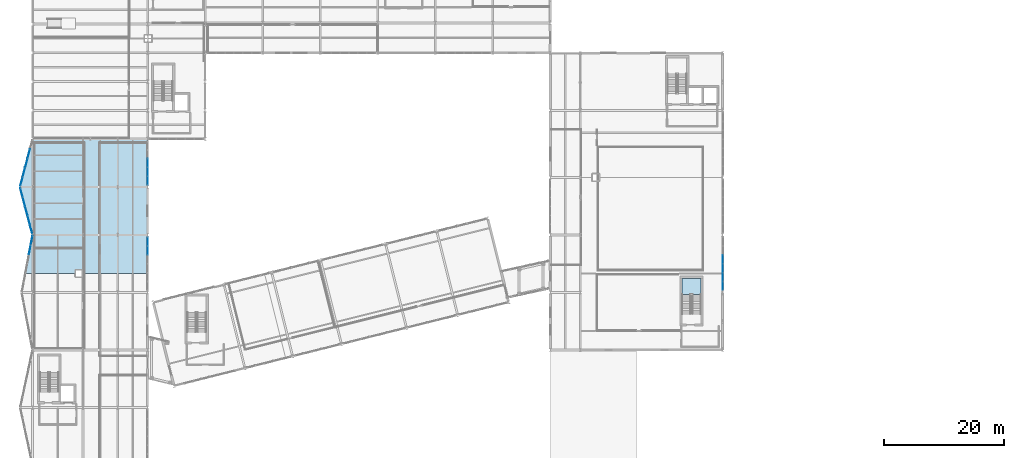
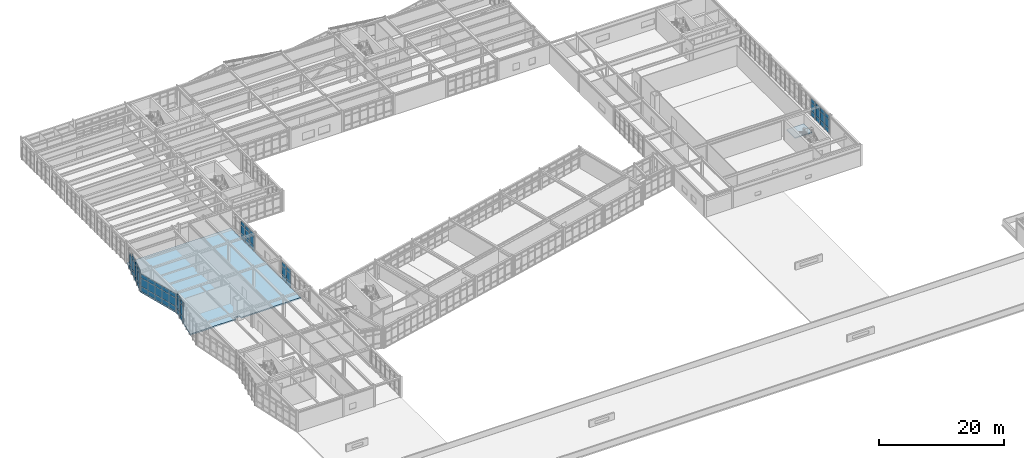
# One storey, part 54 of 88: 59 plates, 2 slabs, 7 elements without a shape of their own.
"""IFC4 building model written with IfcOpenShell, lengths in metres."""

import ifcopenshell
import ifcopenshell.guid

model = None  # the IFC model being written
_history = None  # IfcOwnerHistory: only IFC2X3 demands one
_inside = {}  # id of a spatial element -> (the spatial element, [elements in it])
_under = {}  # id of a project, library or spatial element -> (it, [spatial elements below it])
_declared = {}  # id of a project -> (the project, [libraries it declares])
_typed = {}  # id of a type object -> (the type object, [elements of that type])
_made_of = {}  # id of a material, layer set ... -> (it, [elements and type objects made of it])


def new_model(schema):
    """Start an empty IFC model of exactly this schema.

    Asked for "IFC4X3", IfcOpenShell would pick the latest addendum, in which some entities
    have other attributes; the version numbers below select the first issue.
    IFC2X3 requires an IfcOwnerHistory on every rooted entity: one is made here for all.
    """
    global model, _history
    if schema == "IFC4X3":
        model = ifcopenshell.file(schema_version=(4, 3, 0, 0))
    else:
        model = ifcopenshell.file(schema=schema)
    _inside.clear()
    _under.clear()
    _declared.clear()
    _typed.clear()
    _made_of.clear()
    _history = None
    if model.schema == "IFC2X3":
        org = make("IfcOrganization", Name="unknown")
        user = make(
            "IfcPersonAndOrganization",
            ThePerson=make("IfcPerson", FamilyName="unknown"),
            TheOrganization=org,
        )
        app = make(
            "IfcApplication",
            ApplicationDeveloper=org,
            Version="unknown",
            ApplicationFullName="unknown",
            ApplicationIdentifier="unknown",
        )
        _history = make(
            "IfcOwnerHistory",
            OwningUser=user,
            OwningApplication=app,
            ChangeAction="ADDED",
            CreationDate=0,
        )
    return model


def make(cls, **values):
    """One entity of the class cls with the attributes given. An attribute that is None is left unset."""
    return model.create_entity(
        cls, **{name: value for name, value in values.items() if value is not None}
    )


def rooted(cls, **values):
    """An entity with a GlobalId (a new one), such as an element, a storey or a relation."""
    return make(cls, GlobalId=ifcopenshell.guid.new(), OwnerHistory=_history, **values)


def si_unit(unit_type, name, prefix=None):
    """IfcSIUnit, for example si_unit("LENGTHUNIT", "METRE", prefix="MILLI")."""
    return make("IfcSIUnit", UnitType=unit_type, Prefix=prefix, Name=name)


def assignment(units):
    """IfcUnitAssignment: the units of a project."""
    return None if units is None else make("IfcUnitAssignment", Units=units)


def point(xyz):
    """IfcCartesianPoint."""
    return None if xyz is None else make("IfcCartesianPoint", Coordinates=xyz)


def direction(xyz):
    """IfcDirection."""
    return None if xyz is None else make("IfcDirection", DirectionRatios=xyz)


def frame(location, z_axis=None, x_axis=None):
    """IfcAxis2Placement3D, a coordinate frame: its origin and axes. An axis left out is left unset."""
    return make(
        "IfcAxis2Placement3D",
        Location=point(location),
        Axis=direction(z_axis),
        RefDirection=direction(x_axis),
    )


def frame_2d(location, x_axis=None):
    """IfcAxis2Placement2D, a coordinate frame in the plane: its origin and x axis."""
    return make(
        "IfcAxis2Placement2D", Location=point(location), RefDirection=direction(x_axis)
    )


def origin():
    """The frame at (0, 0, 0) with its axes left unset."""
    return frame((0.0, 0.0, 0.0))


def origin_2d():
    """The frame at (0, 0) in the plane with its x axis left unset."""
    return frame_2d((0.0, 0.0))


def place(relative_to, where):
    """IfcLocalPlacement: puts the frame where relative to a parent placement (None: the world)."""
    return make(
        "IfcLocalPlacement", PlacementRelTo=relative_to, RelativePlacement=where
    )


def context(
    kind, dimensions, precision=None, world=None, true_north=None, identifier=None
):
    """IfcGeometricRepresentationContext, for example the 3D "Model" context."""
    return make(
        "IfcGeometricRepresentationContext",
        ContextIdentifier=identifier,
        ContextType=kind,
        CoordinateSpaceDimension=dimensions,
        Precision=precision,
        WorldCoordinateSystem=world,
        TrueNorth=true_north,
    )


def subcontext(parent, identifier, kind, view, scale=None):
    """IfcGeometricRepresentationSubContext, for example "Body" below "Model"."""
    return make(
        "IfcGeometricRepresentationSubContext",
        ContextIdentifier=identifier,
        ContextType=kind,
        ParentContext=parent,
        TargetScale=scale,
        TargetView=view,
    )


def project(units=None, contexts=None):
    """IfcProject with its units and contexts."""
    return rooted(
        "IfcProject",
        Name="project",
        RepresentationContexts=contexts,
        UnitsInContext=assignment(units),
    )


def spatial(cls, under=None, at=None, **own):
    """A site, building, storey or space (cls), placed at a placement, below another one or the project."""
    s = rooted(cls, ObjectPlacement=at, **own)
    if under is not None:
        _under.setdefault(under.id(), (under, []))[1].append(s)
    return s


def polyline(points):
    """IfcPolyline through the points."""
    return make("IfcPolyline", Points=[point(p) for p in points])


def profile(cls, at=None, kind="AREA", **sizes):
    """A parametric profile (cls). Its sizes go by their IFC names, for example OverallWidth=200.0."""
    return make(cls, ProfileType=kind, Position=at, **sizes)


def rectangle(**sizes):
    """IfcRectangleProfileDef."""
    return profile("IfcRectangleProfileDef", **sizes)


def outline(outer, holes=None, kind="AREA"):
    """IfcArbitraryClosedProfileDef: a profile drawn as a closed curve; with holes, ...WithVoids."""
    if holes is None:
        return make("IfcArbitraryClosedProfileDef", ProfileType=kind, OuterCurve=outer)
    return make(
        "IfcArbitraryProfileDefWithVoids",
        ProfileType=kind,
        OuterCurve=outer,
        InnerCurves=holes,
    )


def extrude(swept, where, along, depth):
    """IfcExtrudedAreaSolid: the profile swept, set in the frame where, extruded along a direction by depth."""
    return make(
        "IfcExtrudedAreaSolid",
        SweptArea=swept,
        Position=where,
        ExtrudedDirection=direction(along),
        Depth=depth,
    )


def shape(context_of_items, identifier, shape_type, items):
    """IfcShapeRepresentation: the items that make up one representation, for example the "Body"."""
    return make(
        "IfcShapeRepresentation",
        ContextOfItems=context_of_items,
        RepresentationIdentifier=identifier,
        RepresentationType=shape_type,
        Items=items,
    )


def material(Name=None, Category=None):
    """IfcMaterial."""
    return make("IfcMaterial", Name=Name, Category=Category)


def layer(
    of_material, thickness, ventilated=None, Name=None, Category=None, Priority=None
):
    """IfcMaterialLayer: one layer of a wall or slab, of a material (None: an air gap)."""
    return make(
        "IfcMaterialLayer",
        Material=of_material,
        LayerThickness=thickness,
        IsVentilated=ventilated,
        Name=Name,
        Category=Category,
        Priority=Priority,
    )


def layer_set(layers, Name=None):
    """IfcMaterialLayerSet."""
    return make("IfcMaterialLayerSet", MaterialLayers=layers, LayerSetName=Name)


def made_of(thing, what):
    """Note that an element or type object is made of a material, layer set ...; save() writes the relation."""
    if what is not None:
        _made_of.setdefault(what.id(), (what, []))[1].append(thing)
    return thing


def type_object(cls, material=None, **own):
    """A type object (cls), such as IfcWallType, which elements share."""
    return made_of(rooted(cls, **own), material)


def element(
    cls,
    number,
    at=None,
    inside=None,
    cuts=None,
    type_object=None,
    material=None,
    context=None,
    identifier="Body",
    shape_type=None,
    held_by="IfcProductDefinitionShape",
    body=None,
    shapes=None,
    **own,
):
    """One element of the class cls, such as IfcWall. Its Tag is "e" and its number.

    at: its placement. inside: the storey or other place that contains it. cuts: it is an
    opening in that element (IfcRelVoidsElement). A single representation is given by context,
    identifier, shape_type and body (its items); several are given by shapes. held_by: the class
    of the entity that holds the representations. save() writes the other relations.
    """
    e = rooted(cls, Tag="e%d" % number, ObjectPlacement=at, **own)
    if body is not None:
        shapes = [shape(context, identifier, shape_type, body)]
    if shapes is not None:
        e.Representation = make(held_by, Representations=shapes)
    if inside is not None:
        _inside.setdefault(inside.id(), (inside, []))[1].append(e)
    if cuts is not None:
        rooted(
            "IfcRelVoidsElement", RelatingBuildingElement=cuts, RelatedOpeningElement=e
        )
    if type_object is not None:
        _typed.setdefault(type_object.id(), (type_object, []))[1].append(e)
    return made_of(e, material)


def aggregate(whole, parts):
    """IfcRelAggregates: a whole, such as a stair, and the parts it consists of."""
    return rooted("IfcRelAggregates", RelatingObject=whole, RelatedObjects=parts)


def save(model, path):
    """Write the relations noted so far, then the file.

    IfcRelAggregates (storeys below a building ...), IfcRelContainedInSpatialStructure (elements
    in a storey), IfcRelDefinesByType, IfcRelAssociatesMaterial and IfcRelDeclares: one each for
    every whole, place, type object, material and project.
    """
    for whole, parts in _under.values():
        aggregate(whole, parts)
    for where, things in _inside.values():
        rooted(
            "IfcRelContainedInSpatialStructure",
            RelatedElements=things,
            RelatingStructure=where,
        )
    for kind, things in _typed.values():
        rooted("IfcRelDefinesByType", RelatedObjects=things, RelatingType=kind)
    for what, things in _made_of.values():
        rooted("IfcRelAssociatesMaterial", RelatedObjects=things, RelatingMaterial=what)
    for by, libraries in _declared.values():
        rooted("IfcRelDeclares", RelatingContext=by, RelatedDefinitions=libraries)
    model.write(path)


model = new_model("IFC4")

# Units and contexts
model_context = context("Model", 3, precision=1e-05, world=origin(), true_north=direction((0.0, 1.0)))
body_context = subcontext(model_context, "Body", "Model", "MODEL_VIEW")
ifc_project = project(units=[si_unit("LENGTHUNIT", "METRE"), si_unit("AREAUNIT", "SQUARE_METRE"), si_unit("VOLUMEUNIT", "CUBIC_METRE"), si_unit("PLANEANGLEUNIT", "RADIAN"), si_unit("MASSUNIT", "GRAM", prefix="KILO")], contexts=[model_context])

# Site, building, storey
site_placement = place(None, origin())
site = spatial("IfcSite", under=ifc_project, at=site_placement, CompositionType="ELEMENT")
building_placement = place(site_placement, origin())
building = spatial("IfcBuilding", under=site, at=building_placement, Name="Nordkorset Police Headquarters", CompositionType="ELEMENT")
storey_placement = place(building_placement, frame((0.0, 0.0, 9.449951171875)))
storey = spatial("IfcBuildingStorey", under=building, at=storey_placement, Name="L02", CompositionType="ELEMENT", Elevation=9.449951171875)

# Curtain wall, plates
ifc_material_1 = material(Name="Aluminium alloy AW-6060", Category="aluminium")
ifc_layer_1 = layer(ifc_material_1, 0.179931640625, Name="Aluminium alloy AW-6060")
ifc_layer_set_1 = layer_set([ifc_layer_1], Name="Aluminium alloy AW-6060")
curtain_wall_type_1 = type_object("IfcCurtainWallType", Name="CW_Unit_949x392", PredefinedType="USERDEFINED", material=ifc_layer_set_1)
curtain_wall_1_placement = place(storey_placement, origin())
curtain_wall_1 = element("IfcCurtainWall", 1, at=curtain_wall_1_placement, inside=storey, type_object=curtain_wall_type_1, Name="Unitised Curtain Wall L02 V3W-3", ObjectType="UNITISED CURTAIN WALL", PredefinedType="USERDEFINED")
ifc_material_2 = material(Name="Low-iron triple glazing", Category="glass")
ifc_layer_2 = layer(ifc_material_2, 0.035888671875, Name="Low-iron triple glazing")
ifc_layer_set_2 = layer_set([ifc_layer_2], Name="Low-iron triple glazing")
plate_type = type_object("IfcPlateType", Name="CW_Panel_TripleGlazing_36", PredefinedType="CURTAIN_PANEL", material=ifc_layer_set_2)
plate_1_placement = place(storey_placement, frame((-0.462890625, 64.731201171875, 0.06494140625), z_axis=(0.0, 0.0, 1.0), x_axis=(0.184288535048, 0.982872186935, 0.0)))
plate_1 = element("IfcPlate", 2, at=plate_1_placement, type_object=plate_type, Name="CW-49 panel 5.1", PredefinedType="CURTAIN_PANEL", context=body_context, shape_type="SweptSolid", body=[
    extrude(rectangle(XDim=1.51611328125, YDim=0.035888671875, at=origin_2d()), origin(), (0.0, 0.0, 1.0), 0.902587890625),
])
plate_2_placement = place(storey_placement, frame((-0.462890625, 64.731201171875, 1.03271484375), z_axis=(0.0, 0.0, 1.0), x_axis=(0.184288535048, 0.982872186935, 0.0)))
plate_2 = element("IfcPlate", 3, at=plate_2_placement, type_object=plate_type, Name="CW-49 panel 5.2", PredefinedType="CURTAIN_PANEL", context=body_context, shape_type="SweptSolid", body=[
    extrude(rectangle(XDim=1.51611328125, YDim=0.035888671875, at=origin_2d()), origin(), (0.0, 0.0, 1.0), 2.0048828125),
])
plate_3_placement = place(storey_placement, frame((-0.462890625, 64.731201171875, 3.1025390625), z_axis=(0.0, 0.0, 1.0), x_axis=(0.184288535048, 0.982872186935, 0.0)))
plate_3 = element("IfcPlate", 4, at=plate_3_placement, type_object=plate_type, Name="CW-49 panel 5.3", PredefinedType="CURTAIN_PANEL", context=body_context, shape_type="SweptSolid", body=[
    extrude(rectangle(XDim=1.51611328125, YDim=0.035888671875, at=origin_2d()), origin(), (0.0, 0.0, 1.0), 0.75244140625),
])
plate_4_placement = place(storey_placement, frame((-0.174560546875, 66.269287109375, 0.06494140625), z_axis=(0.0, 0.0, 1.0), x_axis=(0.184288535048, 0.982872186935, 0.0)))
plate_4 = element("IfcPlate", 5, at=plate_4_placement, type_object=plate_type, Name="CW-49 panel 6.1", PredefinedType="CURTAIN_PANEL", context=body_context, shape_type="SweptSolid", body=[
    extrude(rectangle(XDim=1.483642578125, YDim=0.035888671875, at=origin_2d()), origin(), (0.0, 0.0, 1.0), 0.902587890625),
])
plate_5_placement = place(storey_placement, frame((-0.174560546875, 66.269287109375, 1.03271484375), z_axis=(0.0, 0.0, 1.0), x_axis=(0.184288535048, 0.982872186935, 0.0)))
plate_5 = element("IfcPlate", 6, at=plate_5_placement, type_object=plate_type, Name="CW-49 panel 6.2", PredefinedType="CURTAIN_PANEL", context=body_context, shape_type="SweptSolid", body=[
    extrude(rectangle(XDim=1.483642578125, YDim=0.035888671875, at=origin_2d()), origin(), (0.0, 0.0, 1.0), 2.0048828125),
])
plate_6_placement = place(storey_placement, frame((-0.174560546875, 66.269287109375, 3.1025390625), z_axis=(0.0, 0.0, 1.0), x_axis=(0.184288535048, 0.982872186935, 0.0)))
plate_6 = element("IfcPlate", 7, at=plate_6_placement, type_object=plate_type, Name="CW-49 panel 6.3", PredefinedType="CURTAIN_PANEL", context=body_context, shape_type="SweptSolid", body=[
    extrude(rectangle(XDim=1.483642578125, YDim=0.035888671875, at=origin_2d()), origin(), (0.0, 0.0, 1.0), 0.75244140625),
])
aggregate(curtain_wall_1, [plate_1, plate_2, plate_3, plate_4, plate_5, plate_6])

ifc_material_3 = material(Name="Aluminium alloy AW-6060", Category="aluminium")
ifc_layer_3 = layer(ifc_material_3, 0.179931640625, Name="Aluminium alloy AW-6060")
ifc_layer_set_3 = layer_set([ifc_layer_3], Name="Aluminium alloy AW-6060")
curtain_wall_type_2 = type_object("IfcCurtainWallType", Name="CW_Unit_888x351", PredefinedType="USERDEFINED", material=ifc_layer_set_3)
curtain_wall_2_placement = place(storey_placement, origin())
curtain_wall_2 = element("IfcCurtainWall", 8, at=curtain_wall_2_placement, inside=storey, type_object=curtain_wall_type_2, Name="Unitised Curtain Wall L02 V3E-3", ObjectType="UNITISED CURTAIN WALL", PredefinedType="USERDEFINED")
plate_7_placement = place(storey_placement, frame((19.199951171875, 64.6201171875, 0.06494140625), z_axis=(0.0, 0.0, 1.0), x_axis=(0.0, 1.0, 0.0)))
plate_7 = element("IfcPlate", 9, at=plate_7_placement, type_object=plate_type, Name="CW-58 panel 5.1", PredefinedType="CURTAIN_PANEL", context=body_context, shape_type="SweptSolid", body=[
    extrude(rectangle(XDim=1.4150390625, YDim=0.035888671875, at=origin_2d()), origin(), (0.0, 0.0, 1.0), 0.902587890625),
])
plate_8_placement = place(storey_placement, frame((19.199951171875, 64.6201171875, 1.03271484375), z_axis=(0.0, 0.0, 1.0), x_axis=(0.0, 1.0, 0.0)))
plate_8 = element("IfcPlate", 10, at=plate_8_placement, type_object=plate_type, Name="CW-58 panel 5.2", PredefinedType="CURTAIN_PANEL", context=body_context, shape_type="SweptSolid", body=[
    extrude(rectangle(XDim=1.4150390625, YDim=0.035888671875, at=origin_2d()), origin(), (0.0, 0.0, 1.0), 1.594970703125),
])
plate_9_placement = place(storey_placement, frame((19.199951171875, 64.6201171875, 2.692626953125), z_axis=(0.0, 0.0, 1.0), x_axis=(0.0, 1.0, 0.0)))
plate_9 = element("IfcPlate", 11, at=plate_9_placement, type_object=plate_type, Name="CW-58 panel 5.3", PredefinedType="CURTAIN_PANEL", context=body_context, shape_type="SweptSolid", body=[
    extrude(rectangle(XDim=1.4150390625, YDim=0.035888671875, at=origin_2d()), origin(), (0.0, 0.0, 1.0), 0.75244140625),
])
plate_10_placement = place(storey_placement, frame((19.199951171875, 66.083740234375, 0.06494140625), z_axis=(0.0, 0.0, 1.0), x_axis=(0.0, 1.0, 0.0)))
plate_10 = element("IfcPlate", 12, at=plate_10_placement, type_object=plate_type, Name="CW-58 panel 6.1", PredefinedType="CURTAIN_PANEL", context=body_context, shape_type="SweptSolid", body=[
    extrude(rectangle(XDim=1.382568359375, YDim=0.035888671875, at=origin_2d()), origin(), (0.0, 0.0, 1.0), 0.902587890625),
])
plate_11_placement = place(storey_placement, frame((19.199951171875, 66.083740234375, 1.03271484375), z_axis=(0.0, 0.0, 1.0), x_axis=(0.0, 1.0, 0.0)))
plate_11 = element("IfcPlate", 13, at=plate_11_placement, type_object=plate_type, Name="CW-58 panel 6.2", PredefinedType="CURTAIN_PANEL", context=body_context, shape_type="SweptSolid", body=[
    extrude(rectangle(XDim=1.382568359375, YDim=0.035888671875, at=origin_2d()), origin(), (0.0, 0.0, 1.0), 1.594970703125),
])
plate_12_placement = place(storey_placement, frame((19.199951171875, 66.083740234375, 2.692626953125), z_axis=(0.0, 0.0, 1.0), x_axis=(0.0, 1.0, 0.0)))
plate_12 = element("IfcPlate", 14, at=plate_12_placement, type_object=plate_type, Name="CW-58 panel 6.3", PredefinedType="CURTAIN_PANEL", context=body_context, shape_type="SweptSolid", body=[
    extrude(rectangle(XDim=1.382568359375, YDim=0.035888671875, at=origin_2d()), origin(), (0.0, 0.0, 1.0), 0.75244140625),
])
aggregate(curtain_wall_2, [plate_7, plate_8, plate_9, plate_10, plate_11, plate_12])

ifc_material_4 = material(Name="Aluminium alloy AW-6060", Category="aluminium")
ifc_layer_4 = layer(ifc_material_4, 0.179931640625, Name="Aluminium alloy AW-6060")
ifc_layer_set_4 = layer_set([ifc_layer_4], Name="Aluminium alloy AW-6060")
curtain_wall_type_3 = type_object("IfcCurtainWallType", Name="CW_Unit_799x351", PredefinedType="USERDEFINED", material=ifc_layer_set_4)
curtain_wall_3_placement = place(storey_placement, origin())
curtain_wall_3 = element("IfcCurtainWall", 15, at=curtain_wall_3_placement, inside=storey, type_object=curtain_wall_type_3, Name="Unitised Curtain Wall L02 V3W-4", ObjectType="UNITISED CURTAIN WALL", PredefinedType="USERDEFINED")
plate_13_placement = place(storey_placement, frame((-0.24267578125, 68.1240234375, 0.06494140625), z_axis=(0.0, 0.0, 1.0), x_axis=(-0.25389698695, 0.967231265013, 0.0)))
plate_13 = element("IfcPlate", 16, at=plate_13_placement, type_object=plate_type, Name="CW-16 panel 1.1", PredefinedType="CURTAIN_PANEL", context=body_context, shape_type="SweptSolid", body=[
    extrude(rectangle(XDim=1.500732421875, YDim=0.035888671875, at=origin_2d()), origin(), (0.0, 0.0, 1.0), 0.902587890625),
])
plate_14_placement = place(storey_placement, frame((-0.24267578125, 68.1240234375, 1.03271484375), z_axis=(0.0, 0.0, 1.0), x_axis=(-0.25389698695, 0.967231265013, 0.0)))
plate_14 = element("IfcPlate", 17, at=plate_14_placement, type_object=plate_type, Name="CW-16 panel 1.2", PredefinedType="CURTAIN_PANEL", context=body_context, shape_type="SweptSolid", body=[
    extrude(rectangle(XDim=1.500732421875, YDim=0.035888671875, at=origin_2d()), origin(), (0.0, 0.0, 1.0), 1.594970703125),
])
plate_15_placement = place(storey_placement, frame((-0.24267578125, 68.1240234375, 2.692626953125), z_axis=(0.0, 0.0, 1.0), x_axis=(-0.25389698695, 0.967231265013, 0.0)))
plate_15 = element("IfcPlate", 18, at=plate_15_placement, type_object=plate_type, Name="CW-16 panel 1.3", PredefinedType="CURTAIN_PANEL", context=body_context, shape_type="SweptSolid", body=[
    extrude(rectangle(XDim=1.500732421875, YDim=0.035888671875, at=origin_2d()), origin(), (0.0, 0.0, 1.0), 0.75244140625),
])
plate_16_placement = place(storey_placement, frame((-0.644287109375, 69.654052734375, 0.06494140625), z_axis=(0.0, 0.0, 1.0), x_axis=(-0.25389698695, 0.967231265013, 0.0)))
plate_16 = element("IfcPlate", 19, at=plate_16_placement, type_object=plate_type, Name="CW-16 panel 2.1", PredefinedType="CURTAIN_PANEL", context=body_context, shape_type="SweptSolid", body=[
    extrude(rectangle(XDim=1.533203125, YDim=0.035888671875, at=origin_2d()), origin(), (0.0, 0.0, 1.0), 0.902587890625),
])
plate_17_placement = place(storey_placement, frame((-0.644287109375, 69.654052734375, 1.03271484375), z_axis=(0.0, 0.0, 1.0), x_axis=(-0.25389698695, 0.967231265013, 0.0)))
plate_17 = element("IfcPlate", 20, at=plate_17_placement, type_object=plate_type, Name="CW-16 panel 2.2", PredefinedType="CURTAIN_PANEL", context=body_context, shape_type="SweptSolid", body=[
    extrude(rectangle(XDim=1.533203125, YDim=0.035888671875, at=origin_2d()), origin(), (0.0, 0.0, 1.0), 1.594970703125),
])
plate_18_placement = place(storey_placement, frame((-0.644287109375, 69.654052734375, 2.692626953125), z_axis=(0.0, 0.0, 1.0), x_axis=(-0.25389698695, 0.967231265013, 0.0)))
plate_18 = element("IfcPlate", 21, at=plate_18_placement, type_object=plate_type, Name="CW-16 panel 2.3", PredefinedType="CURTAIN_PANEL", context=body_context, shape_type="SweptSolid", body=[
    extrude(rectangle(XDim=1.533203125, YDim=0.035888671875, at=origin_2d()), origin(), (0.0, 0.0, 1.0), 0.75244140625),
])
plate_19_placement = place(storey_placement, frame((-1.050048828125, 71.199951171875, 0.06494140625), z_axis=(0.0, 0.0, 1.0), x_axis=(-0.25389698695, 0.967231265013, 0.0)))
plate_19 = element("IfcPlate", 22, at=plate_19_placement, type_object=plate_type, Name="CW-16 panel 3.1", PredefinedType="CURTAIN_PANEL", context=body_context, shape_type="SweptSolid", body=[
    extrude(rectangle(XDim=1.533203125, YDim=0.035888671875, at=origin_2d()), origin(), (0.0, 0.0, 1.0), 0.902587890625),
])
plate_20_placement = place(storey_placement, frame((-1.050048828125, 71.199951171875, 1.03271484375), z_axis=(0.0, 0.0, 1.0), x_axis=(-0.25389698695, 0.967231265013, 0.0)))
plate_20 = element("IfcPlate", 23, at=plate_20_placement, type_object=plate_type, Name="CW-16 panel 3.2", PredefinedType="CURTAIN_PANEL", context=body_context, shape_type="SweptSolid", body=[
    extrude(rectangle(XDim=1.533203125, YDim=0.035888671875, at=origin_2d()), origin(), (0.0, 0.0, 1.0), 1.594970703125),
])
plate_21_placement = place(storey_placement, frame((-1.050048828125, 71.199951171875, 2.692626953125), z_axis=(0.0, 0.0, 1.0), x_axis=(-0.25389698695, 0.967231265013, 0.0)))
plate_21 = element("IfcPlate", 24, at=plate_21_placement, type_object=plate_type, Name="CW-16 panel 3.3", PredefinedType="CURTAIN_PANEL", context=body_context, shape_type="SweptSolid", body=[
    extrude(rectangle(XDim=1.533203125, YDim=0.035888671875, at=origin_2d()), origin(), (0.0, 0.0, 1.0), 0.75244140625),
])
plate_22_placement = place(storey_placement, frame((-1.455810546875, 72.745849609375, 0.06494140625), z_axis=(0.0, 0.0, 1.0), x_axis=(-0.25389698695, 0.967231265013, 0.0)))
plate_22 = element("IfcPlate", 25, at=plate_22_placement, type_object=plate_type, Name="CW-16 panel 4.1", PredefinedType="CURTAIN_PANEL", context=body_context, shape_type="SweptSolid", body=[
    extrude(rectangle(XDim=1.533203125, YDim=0.035888671875, at=origin_2d()), origin(), (0.0, 0.0, 1.0), 0.902587890625),
])
plate_23_placement = place(storey_placement, frame((-1.455810546875, 72.745849609375, 1.03271484375), z_axis=(0.0, 0.0, 1.0), x_axis=(-0.25389698695, 0.967231265013, 0.0)))
plate_23 = element("IfcPlate", 26, at=plate_23_placement, type_object=plate_type, Name="CW-16 panel 4.2", PredefinedType="CURTAIN_PANEL", context=body_context, shape_type="SweptSolid", body=[
    extrude(rectangle(XDim=1.533203125, YDim=0.035888671875, at=origin_2d()), origin(), (0.0, 0.0, 1.0), 1.594970703125),
])
plate_24_placement = place(storey_placement, frame((-1.455810546875, 72.745849609375, 2.692626953125), z_axis=(0.0, 0.0, 1.0), x_axis=(-0.25389698695, 0.967231265013, 0.0)))
plate_24 = element("IfcPlate", 27, at=plate_24_placement, type_object=plate_type, Name="CW-16 panel 4.3", PredefinedType="CURTAIN_PANEL", context=body_context, shape_type="SweptSolid", body=[
    extrude(rectangle(XDim=1.533203125, YDim=0.035888671875, at=origin_2d()), origin(), (0.0, 0.0, 1.0), 0.75244140625),
])
plate_25_placement = place(storey_placement, frame((-1.857421875, 74.27587890625, 0.06494140625), z_axis=(0.0, 0.0, 1.0), x_axis=(-0.25389698695, 0.967231265013, 0.0)))
plate_25 = element("IfcPlate", 28, at=plate_25_placement, type_object=plate_type, Name="CW-16 panel 5.1", PredefinedType="CURTAIN_PANEL", context=body_context, shape_type="SweptSolid", body=[
    extrude(rectangle(XDim=1.500732421875, YDim=0.035888671875, at=origin_2d()), origin(), (0.0, 0.0, 1.0), 0.902587890625),
])
plate_26_placement = place(storey_placement, frame((-1.857421875, 74.27587890625, 1.03271484375), z_axis=(0.0, 0.0, 1.0), x_axis=(-0.25389698695, 0.967231265013, 0.0)))
plate_26 = element("IfcPlate", 29, at=plate_26_placement, type_object=plate_type, Name="CW-16 panel 5.2", PredefinedType="CURTAIN_PANEL", context=body_context, shape_type="SweptSolid", body=[
    extrude(rectangle(XDim=1.500732421875, YDim=0.035888671875, at=origin_2d()), origin(), (0.0, 0.0, 1.0), 1.594970703125),
])
plate_27_placement = place(storey_placement, frame((-1.857421875, 74.27587890625, 2.692626953125), z_axis=(0.0, 0.0, 1.0), x_axis=(-0.25389698695, 0.967231265013, 0.0)))
plate_27 = element("IfcPlate", 30, at=plate_27_placement, type_object=plate_type, Name="CW-16 panel 5.3", PredefinedType="CURTAIN_PANEL", context=body_context, shape_type="SweptSolid", body=[
    extrude(rectangle(XDim=1.500732421875, YDim=0.035888671875, at=origin_2d()), origin(), (0.0, 0.0, 1.0), 0.75244140625),
])
aggregate(curtain_wall_3, [plate_13, plate_14, plate_15, plate_16, plate_17, plate_18, plate_19, plate_20, plate_21, plate_22, plate_23, plate_24, plate_25, plate_26, plate_27])

ifc_material_5 = material(Name="Aluminium alloy AW-6060", Category="aluminium")
ifc_layer_5 = layer(ifc_material_5, 0.179931640625, Name="Aluminium alloy AW-6060")
ifc_layer_set_5 = layer_set([ifc_layer_5], Name="Aluminium alloy AW-6060")
curtain_wall_type_4 = type_object("IfcCurtainWallType", Name="CW_Unit_799x392", PredefinedType="USERDEFINED", material=ifc_layer_set_5)
curtain_wall_4_placement = place(storey_placement, origin())
curtain_wall_4 = element("IfcCurtainWall", 31, at=curtain_wall_4_placement, inside=storey, type_object=curtain_wall_type_4, Name="Unitised Curtain Wall L02 V3W-5", ObjectType="UNITISED CURTAIN WALL", PredefinedType="USERDEFINED")
plate_28_placement = place(storey_placement, frame((-1.857421875, 76.1240234375, 0.06494140625), z_axis=(0.0, 0.0, 1.0), x_axis=(0.25389698695, 0.967231265013, 0.0)))
plate_28 = element("IfcPlate", 32, at=plate_28_placement, type_object=plate_type, Name="CW-68 panel 1.1", PredefinedType="CURTAIN_PANEL", context=body_context, shape_type="SweptSolid", body=[
    extrude(rectangle(XDim=1.500732421875, YDim=0.035888671875, at=origin_2d()), origin(), (0.0, 0.0, 1.0), 0.902587890625),
])
plate_29_placement = place(storey_placement, frame((-1.857421875, 76.1240234375, 1.03271484375), z_axis=(0.0, 0.0, 1.0), x_axis=(0.25389698695, 0.967231265013, 0.0)))
plate_29 = element("IfcPlate", 33, at=plate_29_placement, type_object=plate_type, Name="CW-68 panel 1.2", PredefinedType="CURTAIN_PANEL", context=body_context, shape_type="SweptSolid", body=[
    extrude(rectangle(XDim=1.500732421875, YDim=0.035888671875, at=origin_2d()), origin(), (0.0, 0.0, 1.0), 2.0048828125),
])
plate_30_placement = place(storey_placement, frame((-1.857421875, 76.1240234375, 3.1025390625), z_axis=(0.0, 0.0, 1.0), x_axis=(0.25389698695, 0.967231265013, 0.0)))
plate_30 = element("IfcPlate", 34, at=plate_30_placement, type_object=plate_type, Name="CW-68 panel 1.3", PredefinedType="CURTAIN_PANEL", context=body_context, shape_type="SweptSolid", body=[
    extrude(rectangle(XDim=1.500732421875, YDim=0.035888671875, at=origin_2d()), origin(), (0.0, 0.0, 1.0), 0.75244140625),
])
plate_31_placement = place(storey_placement, frame((-1.455810546875, 77.654052734375, 0.06494140625), z_axis=(0.0, 0.0, 1.0), x_axis=(0.25389698695, 0.967231265013, 0.0)))
plate_31 = element("IfcPlate", 35, at=plate_31_placement, type_object=plate_type, Name="CW-68 panel 2.1", PredefinedType="CURTAIN_PANEL", context=body_context, shape_type="SweptSolid", body=[
    extrude(rectangle(XDim=1.533203125, YDim=0.035888671875, at=origin_2d()), origin(), (0.0, 0.0, 1.0), 0.902587890625),
])
plate_32_placement = place(storey_placement, frame((-1.455810546875, 77.654052734375, 1.03271484375), z_axis=(0.0, 0.0, 1.0), x_axis=(0.25389698695, 0.967231265013, 0.0)))
plate_32 = element("IfcPlate", 36, at=plate_32_placement, type_object=plate_type, Name="CW-68 panel 2.2", PredefinedType="CURTAIN_PANEL", context=body_context, shape_type="SweptSolid", body=[
    extrude(rectangle(XDim=1.533203125, YDim=0.035888671875, at=origin_2d()), origin(), (0.0, 0.0, 1.0), 2.0048828125),
])
plate_33_placement = place(storey_placement, frame((-1.455810546875, 77.654052734375, 3.1025390625), z_axis=(0.0, 0.0, 1.0), x_axis=(0.25389698695, 0.967231265013, 0.0)))
plate_33 = element("IfcPlate", 37, at=plate_33_placement, type_object=plate_type, Name="CW-68 panel 2.3", PredefinedType="CURTAIN_PANEL", context=body_context, shape_type="SweptSolid", body=[
    extrude(rectangle(XDim=1.533203125, YDim=0.035888671875, at=origin_2d()), origin(), (0.0, 0.0, 1.0), 0.75244140625),
])
plate_34_placement = place(storey_placement, frame((-1.050048828125, 79.199951171875, 0.06494140625), z_axis=(0.0, 0.0, 1.0), x_axis=(0.25389698695, 0.967231265013, 0.0)))
plate_34 = element("IfcPlate", 38, at=plate_34_placement, type_object=plate_type, Name="CW-68 panel 3.1", PredefinedType="CURTAIN_PANEL", context=body_context, shape_type="SweptSolid", body=[
    extrude(rectangle(XDim=1.533203125, YDim=0.035888671875, at=origin_2d()), origin(), (0.0, 0.0, 1.0), 0.902587890625),
])
plate_35_placement = place(storey_placement, frame((-1.050048828125, 79.199951171875, 1.03271484375), z_axis=(0.0, 0.0, 1.0), x_axis=(0.25389698695, 0.967231265013, 0.0)))
plate_35 = element("IfcPlate", 39, at=plate_35_placement, type_object=plate_type, Name="CW-68 panel 3.2", PredefinedType="CURTAIN_PANEL", context=body_context, shape_type="SweptSolid", body=[
    extrude(rectangle(XDim=1.533203125, YDim=0.035888671875, at=origin_2d()), origin(), (0.0, 0.0, 1.0), 2.0048828125),
])
plate_36_placement = place(storey_placement, frame((-1.050048828125, 79.199951171875, 3.1025390625), z_axis=(0.0, 0.0, 1.0), x_axis=(0.25389698695, 0.967231265013, 0.0)))
plate_36 = element("IfcPlate", 40, at=plate_36_placement, type_object=plate_type, Name="CW-68 panel 3.3", PredefinedType="CURTAIN_PANEL", context=body_context, shape_type="SweptSolid", body=[
    extrude(rectangle(XDim=1.533203125, YDim=0.035888671875, at=origin_2d()), origin(), (0.0, 0.0, 1.0), 0.75244140625),
])
plate_37_placement = place(storey_placement, frame((-0.644287109375, 80.745849609375, 0.06494140625), z_axis=(0.0, 0.0, 1.0), x_axis=(0.25389698695, 0.967231265013, 0.0)))
plate_37 = element("IfcPlate", 41, at=plate_37_placement, type_object=plate_type, Name="CW-68 panel 4.1", PredefinedType="CURTAIN_PANEL", context=body_context, shape_type="SweptSolid", body=[
    extrude(rectangle(XDim=1.533203125, YDim=0.035888671875, at=origin_2d()), origin(), (0.0, 0.0, 1.0), 0.902587890625),
])
plate_38_placement = place(storey_placement, frame((-0.644287109375, 80.745849609375, 1.03271484375), z_axis=(0.0, 0.0, 1.0), x_axis=(0.25389698695, 0.967231265013, 0.0)))
plate_38 = element("IfcPlate", 42, at=plate_38_placement, type_object=plate_type, Name="CW-68 panel 4.2", PredefinedType="CURTAIN_PANEL", context=body_context, shape_type="SweptSolid", body=[
    extrude(rectangle(XDim=1.533203125, YDim=0.035888671875, at=origin_2d()), origin(), (0.0, 0.0, 1.0), 2.0048828125),
])
aggregate(curtain_wall_4, [plate_28, plate_29, plate_30, plate_31, plate_32, plate_33, plate_34, plate_35, plate_36, plate_37, plate_38])

ifc_material_6 = material(Name="Aluminium alloy AW-6060", Category="aluminium")
ifc_layer_6 = layer(ifc_material_6, 0.179931640625, Name="Aluminium alloy AW-6060")
ifc_layer_set_6 = layer_set([ifc_layer_6], Name="Aluminium alloy AW-6060")
curtain_wall_type_5 = type_object("IfcCurtainWallType", Name="CW_Unit_728x351", PredefinedType="USERDEFINED", material=ifc_layer_set_6)
curtain_wall_5_placement = place(storey_placement, origin())
curtain_wall_5 = element("IfcCurtainWall", 43, at=curtain_wall_5_placement, inside=storey, type_object=curtain_wall_type_5, Name="Unitised Curtain Wall L02 V3E-5", ObjectType="UNITISED CURTAIN WALL", PredefinedType="USERDEFINED")
plate_39_placement = place(storey_placement, frame((19.199951171875, 76.30419921875, 0.06494140625), z_axis=(0.0, 0.0, 1.0), x_axis=(0.0, 1.0, 0.0)))
plate_39 = element("IfcPlate", 44, at=plate_39_placement, type_object=plate_type, Name="CW-86 panel 1.1", PredefinedType="CURTAIN_PANEL", context=body_context, shape_type="SweptSolid", body=[
    extrude(rectangle(XDim=1.3583984375, YDim=0.035888671875, at=origin_2d()), origin(), (0.0, 0.0, 1.0), 0.902587890625),
])
plate_40_placement = place(storey_placement, frame((19.199951171875, 76.30419921875, 1.03271484375), z_axis=(0.0, 0.0, 1.0), x_axis=(0.0, 1.0, 0.0)))
plate_40 = element("IfcPlate", 45, at=plate_40_placement, type_object=plate_type, Name="CW-86 panel 1.2", PredefinedType="CURTAIN_PANEL", context=body_context, shape_type="SweptSolid", body=[
    extrude(rectangle(XDim=1.3583984375, YDim=0.035888671875, at=origin_2d()), origin(), (0.0, 0.0, 1.0), 1.594970703125),
])
plate_41_placement = place(storey_placement, frame((19.199951171875, 76.30419921875, 2.692626953125), z_axis=(0.0, 0.0, 1.0), x_axis=(0.0, 1.0, 0.0)))
plate_41 = element("IfcPlate", 46, at=plate_41_placement, type_object=plate_type, Name="CW-86 panel 1.3", PredefinedType="CURTAIN_PANEL", context=body_context, shape_type="SweptSolid", body=[
    extrude(rectangle(XDim=1.3583984375, YDim=0.035888671875, at=origin_2d()), origin(), (0.0, 0.0, 1.0), 0.75244140625),
])
plate_42_placement = place(storey_placement, frame((19.199951171875, 77.743896484375, 0.06494140625), z_axis=(0.0, 0.0, 1.0), x_axis=(0.0, 1.0, 0.0)))
plate_42 = element("IfcPlate", 47, at=plate_42_placement, type_object=plate_type, Name="CW-86 panel 2.1", PredefinedType="CURTAIN_PANEL", context=body_context, shape_type="SweptSolid", body=[
    extrude(rectangle(XDim=1.39111328125, YDim=0.035888671875, at=origin_2d()), origin(), (0.0, 0.0, 1.0), 0.902587890625),
])
plate_43_placement = place(storey_placement, frame((19.199951171875, 77.743896484375, 1.03271484375), z_axis=(0.0, 0.0, 1.0), x_axis=(0.0, 1.0, 0.0)))
plate_43 = element("IfcPlate", 48, at=plate_43_placement, type_object=plate_type, Name="CW-86 panel 2.2", PredefinedType="CURTAIN_PANEL", context=body_context, shape_type="SweptSolid", body=[
    extrude(rectangle(XDim=1.39111328125, YDim=0.035888671875, at=origin_2d()), origin(), (0.0, 0.0, 1.0), 1.594970703125),
])
plate_44_placement = place(storey_placement, frame((19.199951171875, 77.743896484375, 2.692626953125), z_axis=(0.0, 0.0, 1.0), x_axis=(0.0, 1.0, 0.0)))
plate_44 = element("IfcPlate", 49, at=plate_44_placement, type_object=plate_type, Name="CW-86 panel 2.3", PredefinedType="CURTAIN_PANEL", context=body_context, shape_type="SweptSolid", body=[
    extrude(rectangle(XDim=1.39111328125, YDim=0.035888671875, at=origin_2d()), origin(), (0.0, 0.0, 1.0), 0.75244140625),
])
plate_45_placement = place(storey_placement, frame((19.199951171875, 79.199951171875, 0.06494140625), z_axis=(0.0, 0.0, 1.0), x_axis=(0.0, 1.0, 0.0)))
plate_45 = element("IfcPlate", 50, at=plate_45_placement, type_object=plate_type, Name="CW-86 panel 3.1", PredefinedType="CURTAIN_PANEL", context=body_context, shape_type="SweptSolid", body=[
    extrude(rectangle(XDim=1.39111328125, YDim=0.035888671875, at=origin_2d()), origin(), (0.0, 0.0, 1.0), 0.902587890625),
])
plate_46_placement = place(storey_placement, frame((19.199951171875, 79.199951171875, 1.03271484375), z_axis=(0.0, 0.0, 1.0), x_axis=(0.0, 1.0, 0.0)))
plate_46 = element("IfcPlate", 51, at=plate_46_placement, type_object=plate_type, Name="CW-86 panel 3.2", PredefinedType="CURTAIN_PANEL", context=body_context, shape_type="SweptSolid", body=[
    extrude(rectangle(XDim=1.39111328125, YDim=0.035888671875, at=origin_2d()), origin(), (0.0, 0.0, 1.0), 1.594970703125),
])
plate_47_placement = place(storey_placement, frame((19.199951171875, 79.199951171875, 2.692626953125), z_axis=(0.0, 0.0, 1.0), x_axis=(0.0, 1.0, 0.0)))
plate_47 = element("IfcPlate", 52, at=plate_47_placement, type_object=plate_type, Name="CW-86 panel 3.3", PredefinedType="CURTAIN_PANEL", context=body_context, shape_type="SweptSolid", body=[
    extrude(rectangle(XDim=1.39111328125, YDim=0.035888671875, at=origin_2d()), origin(), (0.0, 0.0, 1.0), 0.75244140625),
])
aggregate(curtain_wall_5, [plate_39, plate_40, plate_41, plate_42, plate_43, plate_44, plate_45, plate_46, plate_47])

curtain_wall_6_placement = place(storey_placement, origin())
curtain_wall_6 = element("IfcCurtainWall", 53, at=curtain_wall_6_placement, inside=storey, type_object=curtain_wall_type_2, Name="Unitised Curtain Wall L02 V5E-1", ObjectType="UNITISED CURTAIN WALL", PredefinedType="USERDEFINED")
plate_48_placement = place(storey_placement, frame((115.199951171875, 58.71630859375, 0.06494140625), z_axis=(0.0, 0.0, 1.0), x_axis=(0.0, 1.0, 0.0)))
plate_48 = element("IfcPlate", 54, at=plate_48_placement, type_object=plate_type, Name="CW-58 panel 1.1", PredefinedType="CURTAIN_PANEL", context=body_context, shape_type="SweptSolid", body=[
    extrude(rectangle(XDim=1.382568359375, YDim=0.035888671875, at=origin_2d()), origin(), (0.0, 0.0, 1.0), 0.902587890625),
])
plate_49_placement = place(storey_placement, frame((115.199951171875, 58.71630859375, 1.03271484375), z_axis=(0.0, 0.0, 1.0), x_axis=(0.0, 1.0, 0.0)))
plate_49 = element("IfcPlate", 55, at=plate_49_placement, type_object=plate_type, Name="CW-58 panel 1.2", PredefinedType="CURTAIN_PANEL", context=body_context, shape_type="SweptSolid", body=[
    extrude(rectangle(XDim=1.382568359375, YDim=0.035888671875, at=origin_2d()), origin(), (0.0, 0.0, 1.0), 1.594970703125),
])
plate_50_placement = place(storey_placement, frame((115.199951171875, 58.71630859375, 2.692626953125), z_axis=(0.0, 0.0, 1.0), x_axis=(0.0, 1.0, 0.0)))
plate_50 = element("IfcPlate", 56, at=plate_50_placement, type_object=plate_type, Name="CW-58 panel 1.3", PredefinedType="CURTAIN_PANEL", context=body_context, shape_type="SweptSolid", body=[
    extrude(rectangle(XDim=1.382568359375, YDim=0.035888671875, at=origin_2d()), origin(), (0.0, 0.0, 1.0), 0.75244140625),
])
plate_51_placement = place(storey_placement, frame((115.199951171875, 60.179931640625, 0.06494140625), z_axis=(0.0, 0.0, 1.0), x_axis=(0.0, 1.0, 0.0)))
plate_51 = element("IfcPlate", 57, at=plate_51_placement, type_object=plate_type, Name="CW-58 panel 2.1", PredefinedType="CURTAIN_PANEL", context=body_context, shape_type="SweptSolid", body=[
    extrude(rectangle(XDim=1.4150390625, YDim=0.035888671875, at=origin_2d()), origin(), (0.0, 0.0, 1.0), 0.902587890625),
])
plate_52_placement = place(storey_placement, frame((115.199951171875, 60.179931640625, 1.03271484375), z_axis=(0.0, 0.0, 1.0), x_axis=(0.0, 1.0, 0.0)))
plate_52 = element("IfcPlate", 58, at=plate_52_placement, type_object=plate_type, Name="CW-58 panel 2.2", PredefinedType="CURTAIN_PANEL", context=body_context, shape_type="SweptSolid", body=[
    extrude(rectangle(XDim=1.4150390625, YDim=0.035888671875, at=origin_2d()), origin(), (0.0, 0.0, 1.0), 1.594970703125),
])
plate_53_placement = place(storey_placement, frame((115.199951171875, 60.179931640625, 2.692626953125), z_axis=(0.0, 0.0, 1.0), x_axis=(0.0, 1.0, 0.0)))
plate_53 = element("IfcPlate", 59, at=plate_53_placement, type_object=plate_type, Name="CW-58 panel 2.3", PredefinedType="CURTAIN_PANEL", context=body_context, shape_type="SweptSolid", body=[
    extrude(rectangle(XDim=1.4150390625, YDim=0.035888671875, at=origin_2d()), origin(), (0.0, 0.0, 1.0), 0.75244140625),
])
plate_54_placement = place(storey_placement, frame((115.199951171875, 61.659912109375, 0.06494140625), z_axis=(0.0, 0.0, 1.0), x_axis=(0.0, 1.0, 0.0)))
plate_54 = element("IfcPlate", 60, at=plate_54_placement, type_object=plate_type, Name="CW-58 panel 3.1", PredefinedType="CURTAIN_PANEL", context=body_context, shape_type="SweptSolid", body=[
    extrude(rectangle(XDim=1.4150390625, YDim=0.035888671875, at=origin_2d()), origin(), (0.0, 0.0, 1.0), 0.902587890625),
])
plate_55_placement = place(storey_placement, frame((115.199951171875, 61.659912109375, 1.03271484375), z_axis=(0.0, 0.0, 1.0), x_axis=(0.0, 1.0, 0.0)))
plate_55 = element("IfcPlate", 61, at=plate_55_placement, type_object=plate_type, Name="CW-58 panel 3.2", PredefinedType="CURTAIN_PANEL", context=body_context, shape_type="SweptSolid", body=[
    extrude(rectangle(XDim=1.4150390625, YDim=0.035888671875, at=origin_2d()), origin(), (0.0, 0.0, 1.0), 1.594970703125),
])
plate_56_placement = place(storey_placement, frame((115.199951171875, 61.659912109375, 2.692626953125), z_axis=(0.0, 0.0, 1.0), x_axis=(0.0, 1.0, 0.0)))
plate_56 = element("IfcPlate", 62, at=plate_56_placement, type_object=plate_type, Name="CW-58 panel 3.3", PredefinedType="CURTAIN_PANEL", context=body_context, shape_type="SweptSolid", body=[
    extrude(rectangle(XDim=1.4150390625, YDim=0.035888671875, at=origin_2d()), origin(), (0.0, 0.0, 1.0), 0.75244140625),
])
plate_57_placement = place(storey_placement, frame((115.199951171875, 63.139892578125, 0.06494140625), z_axis=(0.0, 0.0, 1.0), x_axis=(0.0, 1.0, 0.0)))
plate_57 = element("IfcPlate", 63, at=plate_57_placement, type_object=plate_type, Name="CW-58 panel 4.1", PredefinedType="CURTAIN_PANEL", context=body_context, shape_type="SweptSolid", body=[
    extrude(rectangle(XDim=1.4150390625, YDim=0.035888671875, at=origin_2d()), origin(), (0.0, 0.0, 1.0), 0.902587890625),
])
plate_58_placement = place(storey_placement, frame((115.199951171875, 63.139892578125, 1.03271484375), z_axis=(0.0, 0.0, 1.0), x_axis=(0.0, 1.0, 0.0)))
plate_58 = element("IfcPlate", 64, at=plate_58_placement, type_object=plate_type, Name="CW-58 panel 4.2", PredefinedType="CURTAIN_PANEL", context=body_context, shape_type="SweptSolid", body=[
    extrude(rectangle(XDim=1.4150390625, YDim=0.035888671875, at=origin_2d()), origin(), (0.0, 0.0, 1.0), 1.594970703125),
])
plate_59_placement = place(storey_placement, frame((115.199951171875, 63.139892578125, 2.692626953125), z_axis=(0.0, 0.0, 1.0), x_axis=(0.0, 1.0, 0.0)))
plate_59 = element("IfcPlate", 65, at=plate_59_placement, type_object=plate_type, Name="CW-58 panel 4.3", PredefinedType="CURTAIN_PANEL", context=body_context, shape_type="SweptSolid", body=[
    extrude(rectangle(XDim=1.4150390625, YDim=0.035888671875, at=origin_2d()), origin(), (0.0, 0.0, 1.0), 0.75244140625),
])
aggregate(curtain_wall_6, [plate_48, plate_49, plate_50, plate_51, plate_52, plate_53, plate_54, plate_55, plate_56, plate_57, plate_58, plate_59])

# Slab
ifc_material_7 = material(Name="Concrete C35/45", Category="concrete")
ifc_layer_7 = layer(ifc_material_7, 0.239990234375, Name="Concrete C35/45")
ifc_layer_set_7 = layer_set([ifc_layer_7], Name="Concrete C35/45")
slab_type_1 = type_object("IfcSlabType", Name="Slab_Lab_240", PredefinedType="FLOOR", material=ifc_layer_set_7)
slab_1_placement = place(storey_placement, frame((0.0, 0.0, -0.239990234375)))
element("IfcSlab", 66, at=slab_1_placement, inside=storey, type_object=slab_type_1, Name="Composite Floor Slab V3 North L02", PredefinedType="FLOOR", context=body_context, shape_type="SweptSolid", body=[
    extrude(outline(polyline([(-1.199951171875, 60.802001953125), (7.199951171875, 60.802001953125), (7.199951171875, 61.300048828125), (8.199951171875, 61.300048828125), (8.199951171875, 60.802001953125), (19.199951171875, 60.802001953125), (19.199951171875, 83.197998046875), (0.0, 83.197998046875), (-2.10009765625, 75.199951171875), (0.0, 67.199951171875), (-1.199951171875, 60.802001953125)])), origin(), (0.0, 0.0, 1.0), 0.239990234375),
])

# Stair, slab
ifc_material_8 = material(Name="Concrete C35/45", Category="concrete")
stair_type = type_object("IfcStairType", Name="ST-42", PredefinedType="HALF_TURN_STAIR", material=ifc_material_8)
stair_placement = place(storey_placement, origin())
stair = element("IfcStair", 67, at=stair_placement, inside=storey, type_object=stair_type, Name="L02 Protected Escape Stair ST-09", PredefinedType="HALF_TURN_STAIR")
ifc_material_9 = material(Name="Concrete C35/45", Category="concrete")
ifc_layer_8 = layer(ifc_material_9, 0.199951171875, Name="Concrete C35/45")
ifc_layer_set_8 = layer_set([ifc_layer_8], Name="Concrete C35/45")
slab_type_2 = type_object("IfcSlabType", Name="Slab_StairLanding_200", PredefinedType="LANDING", material=ifc_layer_set_8)
slab_2_placement = place(storey_placement, frame((0.0, 0.0, 1.900146484375)))
slab_2 = element("IfcSlab", 68, at=slab_2_placement, type_object=slab_type_2, Name="ST-09 landing 1", PredefinedType="LANDING", context=body_context, shape_type="SweptSolid", body=[
    extrude(outline(polyline([(111.574951171875, 57.27001953125), (111.574951171875, 59.97509765625), (108.375, 59.97509765625), (108.375, 57.27001953125), (111.574951171875, 57.27001953125)])), origin(), (0.0, 0.0, 1.0), 0.199951171875),
])
aggregate(stair, [slab_2])

save(model, "model.ifc")
